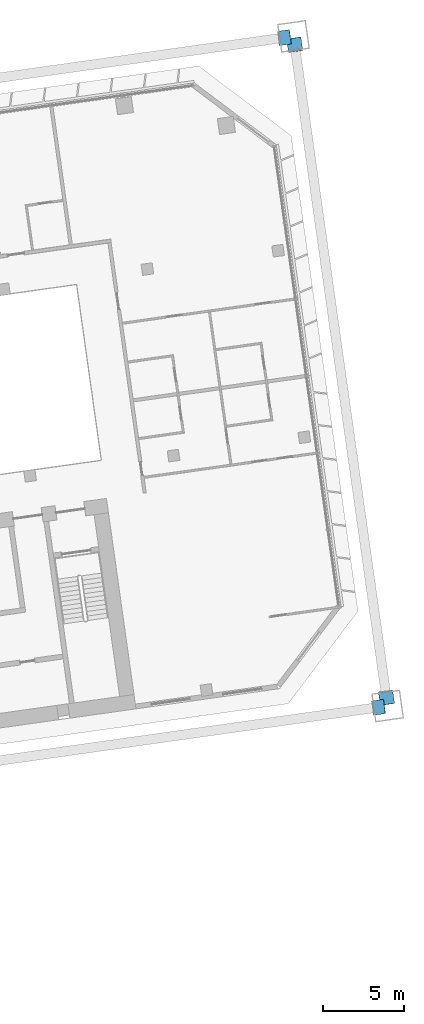
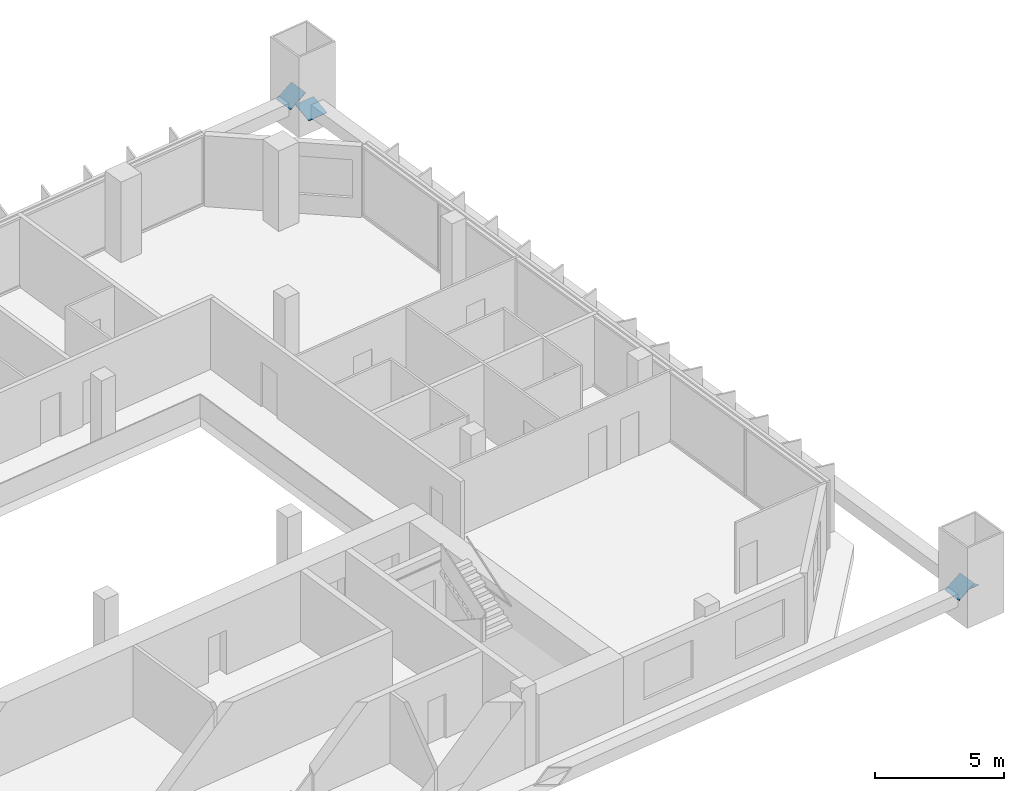
# One storey, part 39 of 46: 4 discrete accessories.
"""IFC4 building model written with IfcOpenShell, lengths in metres."""

from ifc_helpers import new_model, si_unit, direction, frame, origin, origin_2d, place, context, subcontext, project, spatial, rectangle, extrude, material, material_profile, profile_set, type_object, element, save


model = new_model("IFC4")

# Units and contexts
model_context = context("Model", 3, precision=1e-05, world=origin(), true_north=direction((0.0, 1.0)))
body_context = subcontext(model_context, "Body", "Model", "MODEL_VIEW")
ifc_project = project(units=[si_unit("LENGTHUNIT", "METRE"), si_unit("AREAUNIT", "SQUARE_METRE"), si_unit("VOLUMEUNIT", "CUBIC_METRE"), si_unit("PLANEANGLEUNIT", "RADIAN"), si_unit("MASSUNIT", "GRAM", prefix="KILO")], contexts=[model_context])

# Site, building, storey
site_placement = place(None, origin())
site = spatial("IfcSite", under=ifc_project, at=site_placement, CompositionType="ELEMENT")
building_placement = place(site_placement, origin())
building = spatial("IfcBuilding", under=site, at=building_placement, Name="Mirante Cascada Hotel Towers", CompositionType="ELEMENT")
storey_placement = place(building_placement, frame((0.0, 0.0, 39.5)))
storey = spatial("IfcBuildingStorey", under=building, at=storey_placement, Name="L06", CompositionType="ELEMENT", Elevation=39.5)

# Discrete accessories
ifc_material = material(Name="Steel ASTM A572 Gr 50", Category="steel")
ifc_material_profile = material_profile(ifc_material, rectangle(XDim=0.9, YDim=0.9, at=origin_2d()), Name="Connection plate 900x900x25 ASTM A572 Gr 50")
ifc_profile_set = profile_set([ifc_material_profile], Name="Steel ASTM A572 Gr 50")
discrete_accessory_type = type_object("IfcDiscreteAccessoryType", Name="Connection plate 900x900x25 ASTM A572 Gr 50", PredefinedType="BRACKET", material=ifc_profile_set)
for number, where, z_axis, x_axis, name in (
    (1, (99.7954, 29.0155, 1.3347), (-0.5438347, -0.0759769, 0.835746), (0.1383621, -0.9903817, 0.0), "Connection plate MB-FL06R"),
    (2, (105.6407, -12.5758, 1.3347), (-0.5438347, -0.0759769, 0.835746), (0.1383621, -0.9903817, 0.0), "Connection plate MB-RL06R"),
    (3, (106.1299, -11.9802, 0.7732), (-0.0479123, 0.3313934, 0.9422753), (-0.9897096, -0.1430905, 0.0), "Connection plate MB-OL06L"),
    (4, (100.4298, 28.5778, 0.7732), (0.0479123, -0.3313934, 0.9422753), (0.9897096, 0.1430905, 0.0), "Connection plate MB-OL06R"),
):
    element("IfcDiscreteAccessory", number, at=place(storey_placement, frame(where, z_axis=z_axis, x_axis=x_axis)), inside=storey, type_object=discrete_accessory_type, Name=name, PredefinedType="BRACKET", context=body_context, shape_type="SweptSolid", body=[
        extrude(rectangle(XDim=0.9, YDim=0.9, at=origin_2d()), origin(), (0.0, 0.0, 1.0), 0.025),
    ])

save(model, "model.ifc")
